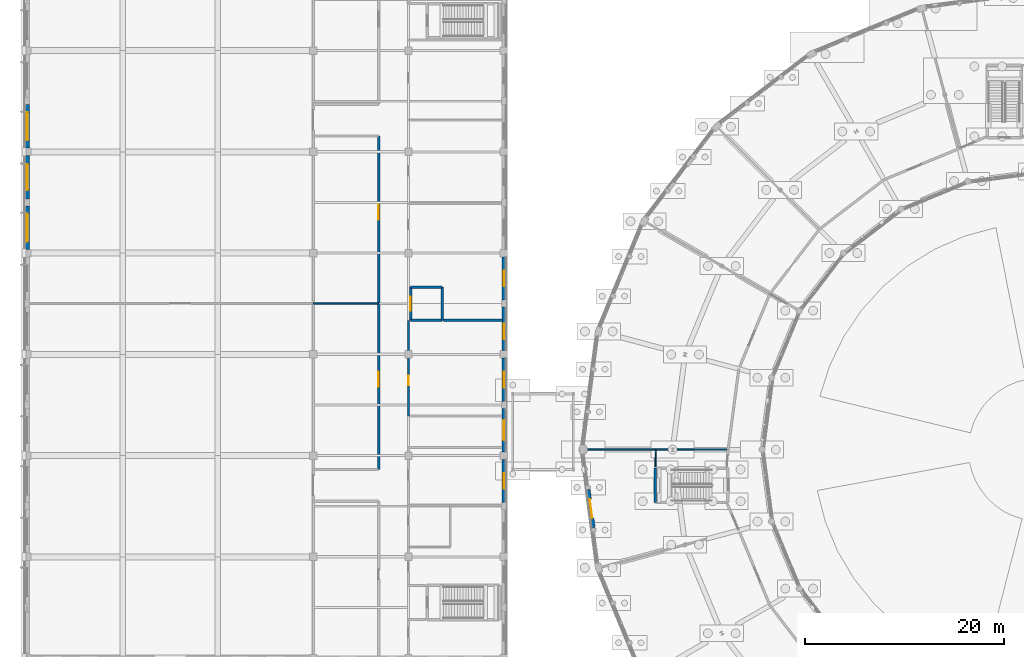
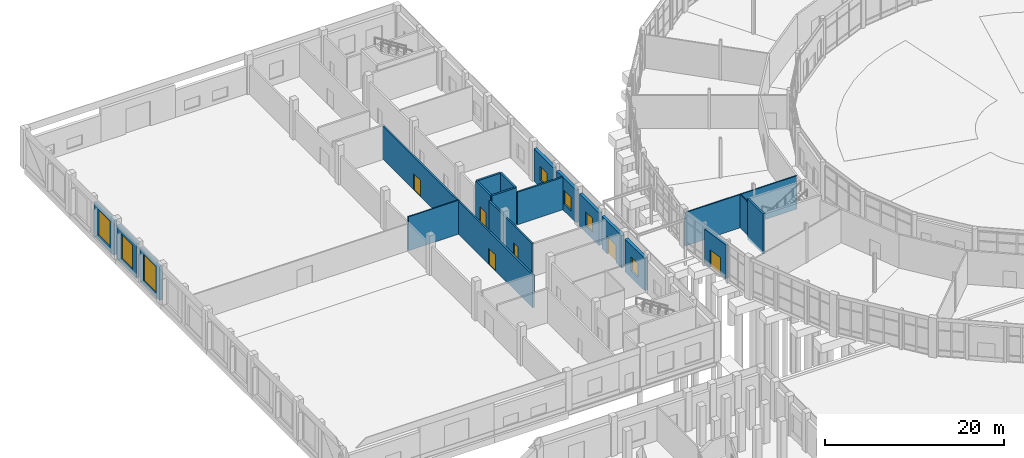
# One storey, part 106 of 137: 20 walls, 7 windows, 6 doors, 13 openings.
"""IFC4 building model written with IfcOpenShell, lengths in metres."""

from ifc_helpers import new_model, si_unit, direction, frame, frame_2d, origin, place, context, subcontext, project, spatial, rectangle, extrude, material, layer, layer_set, type_object, element, fill, save


model = new_model("IFC4")

# Units and contexts
model_context = context("Model", 3, precision=1e-05, world=origin(), true_north=direction((0.0, 1.0)))
body_context = subcontext(model_context, "Body", "Model", "MODEL_VIEW")
ifc_project = project(units=[si_unit("LENGTHUNIT", "METRE"), si_unit("AREAUNIT", "SQUARE_METRE"), si_unit("VOLUMEUNIT", "CUBIC_METRE"), si_unit("PLANEANGLEUNIT", "RADIAN"), si_unit("MASSUNIT", "GRAM", prefix="KILO")], contexts=[model_context])

# Site, building, storey
site_placement = place(None, origin())
site = spatial("IfcSite", under=ifc_project, at=site_placement, CompositionType="ELEMENT")
building_placement = place(site_placement, origin())
building = spatial("IfcBuilding", under=site, at=building_placement, Name="Vondelvale Polytechnic", CompositionType="ELEMENT")
storey_placement = place(building_placement, origin())
storey = spatial("IfcBuildingStorey", under=building, at=storey_placement, Name="L00", CompositionType="ELEMENT", Elevation=0.0)

# Wall, opening, door
ifc_material_1 = material(Name="Amsterdam School iron-spot clinker clay brickwork", Category="masonry")
ifc_layer_1 = layer(ifc_material_1, 0.35009765625)
ifc_layer_set_1 = layer_set([ifc_layer_1], Name="WL-BRICK-350")
wall_type_1 = type_object("IfcWallType", Name="WL-BRICK-350", PredefinedType="SOLIDWALL", material=ifc_layer_set_1)
wall_1_placement = place(storey_placement, frame((57.036376953125, 64.128173828125, 0.0), z_axis=(0.0, 0.0, 1.0), x_axis=(-0.130552399509, 0.991441410766, 0.0)))
wall_1 = element("IfcWall", 1, at=wall_1_placement, inside=storey, type_object=wall_type_1, Name="L00 exterior masonry facade wall", PredefinedType="SOLIDWALL", context=body_context, shape_type="SweptSolid", body=[
    extrude(rectangle(XDim=3.87109375, YDim=0.35009765625, at=frame_2d((1.935546875, 0.0))), origin(), (0.0, 0.0, 1.0), 4.64306640625),
])
opening_1_placement = place(wall_1_placement, frame((0.985595703125, 0.0, 0.0)))
opening_1 = element("IfcOpeningElement", 2, at=opening_1_placement, cuts=wall_1, Name="Opening ED-031", PredefinedType="OPENING", context=body_context, shape_type="SweptSolid", body=[
    extrude(rectangle(XDim=1.89990234375, YDim=2.35009765625, at=frame_2d((0.949951171875, 1.175048828125))), frame((0.0, 0.18505859375, 0.0), z_axis=(0.0, -1.0, 0.0), x_axis=(1.0, 0.0, 0.0)), (0.0, 0.0, 1.0), 0.3701171875),
])
ifc_material_2 = material(Name="Anodised extruded aluminium 6063-T6", Category="aluminium")
door_type_1 = type_object("IfcDoorType", Name="DR-EXT-1900x2350", OperationType="DOUBLE_DOOR_SINGLE_SWING", PredefinedType="DOOR", material=ifc_material_2)
door_1_placement = place(opening_1_placement, origin())
door_1 = element("IfcDoor", 3, at=door_1_placement, inside=storey, type_object=door_type_1, Name="L00 exterior entrance/exit door ED-031", OperationType="DOUBLE_DOOR_SINGLE_SWING", OverallHeight=2.35009765625, OverallWidth=1.89990234375, PredefinedType="DOOR", context=body_context, shape_type="SweptSolid", body=[
    extrude(rectangle(XDim=1.89990234375, YDim=2.35009765625, at=frame_2d((0.949951171875, 1.175048828125))), frame((0.0, 0.02490234375, 0.0), z_axis=(0.0, -1.0, 0.0), x_axis=(1.0, 0.0, 0.0)), (0.0, 0.0, 1.0), 0.050048828125),
])
fill(opening_1, door_1)

# Wall
ifc_material_3 = material(Name="Concrete N40 (f'c = 40 MPa)", Category="concrete")
ifc_layer_2 = layer(ifc_material_3, 0.25)
ifc_layer_set_2 = layer_set([ifc_layer_2], Name="WL-CORE-250")
wall_type_2 = type_object("IfcWallType", Name="WL-CORE-250", PredefinedType="SOLIDWALL", material=ifc_layer_set_2)
wall_2_placement = place(storey_placement, frame((63.27490234375, 70.125, -0.39990234375), z_axis=(0.0, 0.0, 1.0), x_axis=(0.0, -1.0, 0.0)))
element("IfcWall", 4, at=wall_2_placement, inside=storey, type_object=wall_type_2, Name="L00 ST-10 reinforced concrete stair core wall", PredefinedType="SOLIDWALL", context=body_context, shape_type="SweptSolid", body=[
    extrude(rectangle(XDim=3.449951171875, YDim=0.25, at=frame_2d((1.72509765625, 0.0))), origin(), (0.0, 0.0, 1.0), 5.52001953125),
])

# Wall, openings, doors
ifc_material_4 = material(Name="Fire-rated double-layer plasterboard stud partition")
ifc_layer_3 = layer(ifc_material_4, 0.219970703125)
ifc_layer_set_3 = layer_set([ifc_layer_3], Name="WL-CORR-220")
wall_type_3 = type_object("IfcWallType", Name="WL-CORR-220", PredefinedType="PARTITIONING", material=ifc_layer_set_3)
wall_3_placement = place(storey_placement, frame((35.39990234375, 70.0, 0.0), z_axis=(0.0, 0.0, 1.0), x_axis=(0.0, 1.0, 0.0)))
wall_3 = element("IfcWall", 5, at=wall_3_placement, inside=storey, type_object=wall_type_3, Name="L00 interior acoustic partition", PredefinedType="PARTITIONING", context=body_context, shape_type="SweptSolid", body=[
    extrude(rectangle(XDim=33.60009765625, YDim=0.219970703125, at=frame_2d((16.800048828125, 0.0))), origin(), (0.0, 0.0, 1.0), 4.492919921875),
])
opening_2_placement = place(wall_3_placement, frame((8.35009765625, 0.0, 0.0)))
opening_2 = element("IfcOpeningElement", 6, at=opening_2_placement, cuts=wall_3, Name="Opening ID-0092", PredefinedType="OPENING", context=body_context, shape_type="SweptSolid", body=[
    extrude(rectangle(XDim=1.5, YDim=2.199951171875, at=frame_2d((0.75, 1.10009765625))), frame((0.0, 0.119873046875, 0.0), z_axis=(0.0, -1.0, 0.0), x_axis=(1.0, 0.0, 0.0)), (0.0, 0.0, 1.0), 0.239990234375),
])
opening_3_placement = place(wall_3_placement, frame((25.14990234375, 0.0, 0.0)))
opening_3 = element("IfcOpeningElement", 7, at=opening_3_placement, cuts=wall_3, Name="Opening ID-0093", PredefinedType="OPENING", context=body_context, shape_type="SweptSolid", body=[
    extrude(rectangle(XDim=1.5, YDim=2.199951171875, at=frame_2d((0.75, 1.10009765625))), frame((0.0, 0.119873046875, 0.0), z_axis=(0.0, -1.0, 0.0), x_axis=(1.0, 0.0, 0.0)), (0.0, 0.0, 1.0), 0.239990234375),
])
ifc_material_5 = material(Name="Fire-rated solid Tasmanian oak joinery")
door_type_2 = type_object("IfcDoorType", Name="DR-LAB-1500x2200", OperationType="DOUBLE_DOOR_SINGLE_SWING", PredefinedType="DOOR", material=ifc_material_5)
door_2_placement = place(opening_2_placement, origin())
door_2 = element("IfcDoor", 8, at=door_2_placement, inside=storey, type_object=door_type_2, Name="L00 interior room door ID-0092", OperationType="DOUBLE_DOOR_SINGLE_SWING", OverallHeight=2.199951171875, OverallWidth=1.5, PredefinedType="DOOR", context=body_context, shape_type="SweptSolid", body=[
    extrude(rectangle(XDim=1.5, YDim=2.199951171875, at=frame_2d((0.75, 1.10009765625))), frame((0.0, 0.02490234375, 0.0), z_axis=(0.0, -1.0, 0.0), x_axis=(1.0, 0.0, 0.0)), (0.0, 0.0, 1.0), 0.050048828125),
])
fill(opening_2, door_2)
door_3_placement = place(opening_3_placement, origin())
door_3 = element("IfcDoor", 9, at=door_3_placement, inside=storey, type_object=door_type_2, Name="L00 interior room door ID-0093", OperationType="DOUBLE_DOOR_SINGLE_SWING", OverallHeight=2.199951171875, OverallWidth=1.5, PredefinedType="DOOR", context=body_context, shape_type="SweptSolid", body=[
    extrude(rectangle(XDim=1.5, YDim=2.199951171875, at=frame_2d((0.75, 1.10009765625))), frame((0.0, 0.02490234375, 0.0), z_axis=(0.0, -1.0, 0.0), x_axis=(1.0, 0.0, 0.0)), (0.0, 0.0, 1.0), 0.050048828125),
])
fill(opening_3, door_3)

# Wall, opening, door
wall_4_placement = place(storey_placement, frame((38.39990234375, 75.39990234375, 0.0), z_axis=(0.0, 0.0, 1.0), x_axis=(0.0, 1.0, 0.0)))
wall_4 = element("IfcWall", 10, at=wall_4_placement, inside=storey, type_object=wall_type_3, Name="L00 interior acoustic partition", PredefinedType="PARTITIONING", context=body_context, shape_type="SweptSolid", body=[
    extrude(rectangle(XDim=9.625, YDim=0.219970703125, at=frame_2d((4.8125, 0.0))), origin(), (0.0, 0.0, 1.0), 4.492919921875),
])
opening_4_placement = place(wall_4_placement, frame((3.10009765625, 0.0, 0.0)))
opening_4 = element("IfcOpeningElement", 11, at=opening_4_placement, cuts=wall_4, Name="Opening ID-0099", PredefinedType="OPENING", context=body_context, shape_type="SweptSolid", body=[
    extrude(rectangle(XDim=0.949951171875, YDim=2.10009765625, at=frame_2d((0.47509765625, 1.050048828125))), frame((0.0, 0.119873046875, 0.0), z_axis=(0.0, -1.0, 0.0), x_axis=(1.0, 0.0, 0.0)), (0.0, 0.0, 1.0), 0.239990234375),
])
door_type_3 = type_object("IfcDoorType", Name="DR-INT-0950x2100", OperationType="SINGLE_SWING_LEFT", PredefinedType="DOOR", material=ifc_material_5)
door_4_placement = place(opening_4_placement, origin())
door_4 = element("IfcDoor", 12, at=door_4_placement, inside=storey, type_object=door_type_3, Name="L00 interior room door ID-0099", OperationType="SINGLE_SWING_LEFT", OverallHeight=2.10009765625, OverallWidth=0.949951171875, PredefinedType="DOOR", context=body_context, shape_type="SweptSolid", body=[
    extrude(rectangle(XDim=0.949951171875, YDim=2.10009765625, at=frame_2d((0.47509765625, 1.050048828125))), frame((0.0, 0.02490234375, 0.0), z_axis=(0.0, -1.0, 0.0), x_axis=(1.0, 0.0, 0.0)), (0.0, 0.0, 1.0), 0.050048828125),
])
fill(opening_4, door_4)

# Walls
wall_5_placement = place(storey_placement, frame((41.93994140625, 85.02490234375, 0.0), z_axis=(0.0, 0.0, 1.0), x_axis=(1.0, 0.0, 0.0)))
element("IfcWall", 13, at=wall_5_placement, inside=storey, type_object=wall_type_3, Name="L00 interior acoustic partition", PredefinedType="PARTITIONING", context=body_context, shape_type="SweptSolid", body=[
    extrude(rectangle(XDim=5.91015625, YDim=0.219970703125, at=frame_2d((2.955078125, 0.0))), origin(), (0.0, 0.0, 1.0), 4.449951171875),
])
ifc_layer_4 = layer(ifc_material_4, 0.1201171875)
ifc_layer_set_4 = layer_set([ifc_layer_4], Name="WL-INT-120")
wall_type_4 = type_object("IfcWallType", Name="WL-INT-120", PredefinedType="PARTITIONING", material=ifc_layer_set_4)
wall_6_placement = place(storey_placement, frame((63.277099609375, 70.2900390625, 0.0), z_axis=(0.0, 0.0, 1.0), x_axis=(0.013419693814, 0.999909951855, 0.0)))
element("IfcWall", 14, at=wall_6_placement, inside=storey, type_object=wall_type_4, Name="L00 interior acoustic partition", PredefinedType="PARTITIONING", context=body_context, shape_type="SweptSolid", body=[
    extrude(rectangle(XDim=1.710205078125, YDim=0.1201171875, at=frame_2d((0.85498046875, 0.0))), origin(), (0.0, 0.0, 1.0), 4.56689453125),
])
ifc_layer_5 = layer(ifc_material_4, 0.14990234375)
ifc_layer_set_5 = layer_set([ifc_layer_5], Name="WL-INT-150")
wall_type_5 = type_object("IfcWallType", Name="WL-INT-150", PredefinedType="PARTITIONING", material=ifc_layer_set_5)
wall_7_placement = place(storey_placement, frame((28.800048828125, 86.699951171875, 0.0), z_axis=(0.0, 0.0, 1.0), x_axis=(1.0, 0.0, 0.0)))
element("IfcWall", 15, at=wall_7_placement, inside=storey, type_object=wall_type_5, Name="L00 interior acoustic partition", PredefinedType="PARTITIONING", context=body_context, shape_type="SweptSolid", body=[
    extrude(rectangle(XDim=6.599853515625, YDim=0.14990234375, at=frame_2d((3.2998046875, 0.0))), origin(), (0.0, 0.0, 1.0), 4.64306640625),
])
wall_8_placement = place(storey_placement, frame((70.60009765625, 72.0, 0.0), z_axis=(0.0, 0.0, 1.0), x_axis=(-1.0, 0.0, 0.0)))
element("IfcWall", 16, at=wall_8_placement, inside=storey, type_object=wall_type_5, Name="L00 interior acoustic partition", PredefinedType="PARTITIONING", context=body_context, shape_type="SweptSolid", body=[
    extrude(rectangle(XDim=14.47998046875, YDim=0.14990234375, at=frame_2d((7.239990234375, 0.0))), origin(), (0.0, 0.0, 1.0), 4.56689453125),
])

# Wall, opening, window
ifc_material_6 = material(Name="Malmsbury bluestone ashlar stone masonry", Category="masonry")
ifc_layer_6 = layer(ifc_material_6, 0.39990234375)
ifc_layer_set_6 = layer_set([ifc_layer_6], Name="WL-PLINTH-400")
wall_type_6 = type_object("IfcWallType", Name="WL-PLINTH-400", PredefinedType="SOLIDWALL", material=ifc_layer_set_6)
wall_9_placement = place(storey_placement, frame((0.0, 92.176025390625, 0.0), z_axis=(0.0, 0.0, 1.0), x_axis=(0.0, 1.0, 0.0)))
wall_9 = element("IfcWall", 17, at=wall_9_placement, inside=storey, type_object=wall_type_6, Name="L00 exterior masonry facade wall", PredefinedType="SOLIDWALL", context=body_context, shape_type="SweptSolid", body=[
    extrude(rectangle(XDim=4.373046875, YDim=0.39990234375, at=frame_2d((2.1865234375, 0.0))), origin(), (0.0, 0.0, 1.0), 4.64990234375),
])
opening_5_placement = place(wall_9_placement, frame((0.78662109375, 0.0, 0.550048828125)))
opening_5 = element("IfcOpeningElement", 18, at=opening_5_placement, cuts=wall_9, Name="Opening WN-0007", PredefinedType="OPENING", context=body_context, shape_type="SweptSolid", body=[
    extrude(rectangle(XDim=2.800048828125, YDim=3.60009765625, at=frame_2d((1.39990234375, 1.800048828125))), frame((0.0, 0.2099609375, 0.0), z_axis=(0.0, -1.0, 0.0), x_axis=(1.0, 0.0, 0.0)), (0.0, 0.0, 1.0), 0.419921875),
])
ifc_material_7 = material(Name="Double-glazed low-E insulated architectural glass", Category="glass")
window_type_1 = type_object("IfcWindowType", Name="WN-WORK-2800x3600", PartitioningType="SINGLE_PANEL", PredefinedType="WINDOW", material=ifc_material_7)
window_1_placement = place(opening_5_placement, origin())
window_1 = element("IfcWindow", 19, at=window_1_placement, inside=storey, type_object=window_type_1, Name="L00 double-glazed architectural window WN-0007", OverallHeight=3.60009765625, OverallWidth=2.800048828125, PartitioningType="SINGLE_PANEL", PredefinedType="WINDOW", context=body_context, shape_type="SweptSolid", body=[
    extrude(rectangle(XDim=2.800048828125, YDim=3.60009765625, at=frame_2d((1.39990234375, 1.800048828125))), frame((0.0, 0.030029296875, 0.0), z_axis=(0.0, -1.0, 0.0), x_axis=(1.0, 0.0, 0.0)), (0.0, 0.0, 1.0), 0.06005859375),
])
fill(opening_5, window_1)

wall_10_placement = place(storey_placement, frame((0.0, 97.2509765625, 0.0), z_axis=(0.0, 0.0, 1.0), x_axis=(0.0, 1.0, 0.0)))
wall_10 = element("IfcWall", 20, at=wall_10_placement, inside=storey, type_object=wall_type_6, Name="L00 exterior masonry facade wall", PredefinedType="SOLIDWALL", context=body_context, shape_type="SweptSolid", body=[
    extrude(rectangle(XDim=4.373046875, YDim=0.39990234375, at=frame_2d((2.1865234375, 0.0))), origin(), (0.0, 0.0, 1.0), 4.64990234375),
])
opening_6_placement = place(wall_10_placement, frame((0.886474609375, 0.0, 0.550048828125)))
opening_6 = element("IfcOpeningElement", 21, at=opening_6_placement, cuts=wall_10, Name="Opening WN-0008", PredefinedType="OPENING", context=body_context, shape_type="SweptSolid", body=[
    extrude(rectangle(XDim=2.60009765625, YDim=3.39990234375, at=frame_2d((1.300048828125, 1.699951171875))), frame((0.0, 0.2099609375, 0.0), z_axis=(0.0, -1.0, 0.0), x_axis=(1.0, 0.0, 0.0)), (0.0, 0.0, 1.0), 0.419921875),
])
window_type_2 = type_object("IfcWindowType", Name="WN-WORK-2600x3400", PartitioningType="SINGLE_PANEL", PredefinedType="WINDOW", material=ifc_material_7)
window_2_placement = place(opening_6_placement, origin())
window_2 = element("IfcWindow", 22, at=window_2_placement, inside=storey, type_object=window_type_2, Name="L00 double-glazed architectural window WN-0008", OverallHeight=3.39990234375, OverallWidth=2.60009765625, PartitioningType="SINGLE_PANEL", PredefinedType="WINDOW", context=body_context, shape_type="SweptSolid", body=[
    extrude(rectangle(XDim=2.60009765625, YDim=3.39990234375, at=frame_2d((1.300048828125, 1.699951171875))), frame((0.0, 0.030029296875, 0.0), z_axis=(0.0, -1.0, 0.0), x_axis=(1.0, 0.0, 0.0)), (0.0, 0.0, 1.0), 0.06005859375),
])
fill(opening_6, window_2)

wall_11_placement = place(storey_placement, frame((0.0, 102.3759765625, 0.0), z_axis=(0.0, 0.0, 1.0), x_axis=(0.0, 1.0, 0.0)))
wall_11 = element("IfcWall", 23, at=wall_11_placement, inside=storey, type_object=wall_type_6, Name="L00 exterior masonry facade wall", PredefinedType="SOLIDWALL", context=body_context, shape_type="SweptSolid", body=[
    extrude(rectangle(XDim=4.373046875, YDim=0.39990234375, at=frame_2d((2.1865234375, 0.0))), origin(), (0.0, 0.0, 1.0), 4.64990234375),
])
opening_7_placement = place(wall_11_placement, frame((0.78662109375, 0.0, 0.550048828125)))
opening_7 = element("IfcOpeningElement", 24, at=opening_7_placement, cuts=wall_11, Name="Opening WN-0009", PredefinedType="OPENING", context=body_context, shape_type="SweptSolid", body=[
    extrude(rectangle(XDim=2.800048828125, YDim=3.60009765625, at=frame_2d((1.39990234375, 1.800048828125))), frame((0.0, 0.2099609375, 0.0), z_axis=(0.0, -1.0, 0.0), x_axis=(1.0, 0.0, 0.0)), (0.0, 0.0, 1.0), 0.419921875),
])
window_3_placement = place(opening_7_placement, origin())
window_3 = element("IfcWindow", 25, at=window_3_placement, inside=storey, type_object=window_type_1, Name="L00 double-glazed architectural window WN-0009", OverallHeight=3.60009765625, OverallWidth=2.800048828125, PartitioningType="SINGLE_PANEL", PredefinedType="WINDOW", context=body_context, shape_type="SweptSolid", body=[
    extrude(rectangle(XDim=2.800048828125, YDim=3.60009765625, at=frame_2d((1.39990234375, 1.800048828125))), frame((0.0, 0.030029296875, 0.0), z_axis=(0.0, -1.0, 0.0), x_axis=(1.0, 0.0, 0.0)), (0.0, 0.0, 1.0), 0.06005859375),
])
fill(opening_7, window_3)

wall_12_placement = place(storey_placement, frame((48.0, 71.02392578125, 0.0), z_axis=(0.0, 0.0, 1.0), x_axis=(0.0, -1.0, 0.0)))
wall_12 = element("IfcWall", 26, at=wall_12_placement, inside=storey, type_object=wall_type_6, Name="L00 exterior masonry facade wall", PredefinedType="SOLIDWALL", context=body_context, shape_type="SweptSolid", body=[
    extrude(rectangle(XDim=4.373046875, YDim=0.39990234375, at=frame_2d((2.1865234375, 0.0))), origin(), (0.0, 0.0, 1.0), 4.449951171875),
])
opening_8_placement = place(wall_12_placement, frame((1.386474609375, 0.0, 0.949951171875)))
opening_8 = element("IfcOpeningElement", 27, at=opening_8_placement, cuts=wall_12, Name="Opening WN-0015", PredefinedType="OPENING", context=body_context, shape_type="SweptSolid", body=[
    extrude(rectangle(XDim=1.60009765625, YDim=1.89990234375, at=frame_2d((0.800048828125, 0.949951171875))), frame((0.0, 0.2099609375, 0.0), z_axis=(0.0, -1.0, 0.0), x_axis=(1.0, 0.0, 0.0)), (0.0, 0.0, 1.0), 0.419921875),
])
window_type_3 = type_object("IfcWindowType", Name="WN-SEM-1600x1900", PartitioningType="SINGLE_PANEL", PredefinedType="WINDOW", material=ifc_material_7)
window_4_placement = place(opening_8_placement, origin())
window_4 = element("IfcWindow", 28, at=window_4_placement, inside=storey, type_object=window_type_3, Name="L00 double-glazed architectural window WN-0015", OverallHeight=1.89990234375, OverallWidth=1.60009765625, PartitioningType="SINGLE_PANEL", PredefinedType="WINDOW", context=body_context, shape_type="SweptSolid", body=[
    extrude(rectangle(XDim=1.60009765625, YDim=1.89990234375, at=frame_2d((0.800048828125, 0.949951171875))), frame((0.0, 0.030029296875, 0.0), z_axis=(0.0, -1.0, 0.0), x_axis=(1.0, 0.0, 0.0)), (0.0, 0.0, 1.0), 0.06005859375),
])
fill(opening_8, window_4)

# Wall, opening, door
wall_13_placement = place(storey_placement, frame((48.0, 76.14892578125, 0.0), z_axis=(0.0, 0.0, 1.0), x_axis=(0.0, -1.0, 0.0)))
wall_13 = element("IfcWall", 29, at=wall_13_placement, inside=storey, type_object=wall_type_6, Name="L00 exterior masonry facade wall", PredefinedType="SOLIDWALL", context=body_context, shape_type="SweptSolid", body=[
    extrude(rectangle(XDim=4.373046875, YDim=0.39990234375, at=frame_2d((2.1865234375, 0.0))), origin(), (0.0, 0.0, 1.0), 4.449951171875),
])
opening_9_placement = place(wall_13_placement, frame((1.1865234375, 0.0, 0.0)))
opening_9 = element("IfcOpeningElement", 30, at=opening_9_placement, cuts=wall_13, Name="Opening ED-002", PredefinedType="OPENING", context=body_context, shape_type="SweptSolid", body=[
    extrude(rectangle(XDim=2.0, YDim=2.39990234375, at=frame_2d((1.0, 1.199951171875))), frame((0.0, 0.2099609375, 0.0), z_axis=(0.0, -1.0, 0.0), x_axis=(1.0, 0.0, 0.0)), (0.0, 0.0, 1.0), 0.419921875),
])
door_type_4 = type_object("IfcDoorType", Name="DR-EXT-2000x2400", OperationType="DOUBLE_DOOR_SINGLE_SWING", PredefinedType="DOOR", material=ifc_material_2)
door_5_placement = place(opening_9_placement, origin())
door_5 = element("IfcDoor", 31, at=door_5_placement, inside=storey, type_object=door_type_4, Name="L00 exterior entrance/exit door ED-002", OperationType="DOUBLE_DOOR_SINGLE_SWING", OverallHeight=2.39990234375, OverallWidth=2.0, PredefinedType="DOOR", context=body_context, shape_type="SweptSolid", body=[
    extrude(rectangle(XDim=2.0, YDim=2.39990234375, at=frame_2d((1.0, 1.199951171875))), frame((0.0, 0.02490234375, 0.0), z_axis=(0.0, -1.0, 0.0), x_axis=(1.0, 0.0, 0.0)), (0.0, 0.0, 1.0), 0.050048828125),
])
fill(opening_9, door_5)

# Wall, opening, window
wall_14_placement = place(storey_placement, frame((48.0, 81.22412109375, 0.0), z_axis=(0.0, 0.0, 1.0), x_axis=(0.0, -1.0, 0.0)))
wall_14 = element("IfcWall", 32, at=wall_14_placement, inside=storey, type_object=wall_type_6, Name="L00 exterior masonry facade wall", PredefinedType="SOLIDWALL", context=body_context, shape_type="SweptSolid", body=[
    extrude(rectangle(XDim=4.373046875, YDim=0.39990234375, at=frame_2d((2.1865234375, 0.0))), origin(), (0.0, 0.0, 1.0), 4.449951171875),
])
opening_10_placement = place(wall_14_placement, frame((1.386474609375, 0.0, 0.949951171875)))
opening_10 = element("IfcOpeningElement", 33, at=opening_10_placement, cuts=wall_14, Name="Opening WN-0016", PredefinedType="OPENING", context=body_context, shape_type="SweptSolid", body=[
    extrude(rectangle(XDim=1.60009765625, YDim=1.89990234375, at=frame_2d((0.800048828125, 0.949951171875))), frame((0.0, 0.2099609375, 0.0), z_axis=(0.0, -1.0, 0.0), x_axis=(1.0, 0.0, 0.0)), (0.0, 0.0, 1.0), 0.419921875),
])
window_5_placement = place(opening_10_placement, origin())
window_5 = element("IfcWindow", 34, at=window_5_placement, inside=storey, type_object=window_type_3, Name="L00 double-glazed architectural window WN-0016", OverallHeight=1.89990234375, OverallWidth=1.60009765625, PartitioningType="SINGLE_PANEL", PredefinedType="WINDOW", context=body_context, shape_type="SweptSolid", body=[
    extrude(rectangle(XDim=1.60009765625, YDim=1.89990234375, at=frame_2d((0.800048828125, 0.949951171875))), frame((0.0, 0.030029296875, 0.0), z_axis=(0.0, -1.0, 0.0), x_axis=(1.0, 0.0, 0.0)), (0.0, 0.0, 1.0), 0.06005859375),
])
fill(opening_10, window_5)

wall_15_placement = place(storey_placement, frame((48.0, 86.34912109375, 0.0), z_axis=(0.0, 0.0, 1.0), x_axis=(0.0, -1.0, 0.0)))
wall_15 = element("IfcWall", 35, at=wall_15_placement, inside=storey, type_object=wall_type_6, Name="L00 exterior masonry facade wall", PredefinedType="SOLIDWALL", context=body_context, shape_type="SweptSolid", body=[
    extrude(rectangle(XDim=4.373046875, YDim=0.39990234375, at=frame_2d((2.1865234375, 0.0))), origin(), (0.0, 0.0, 1.0), 4.449951171875),
])
opening_11_placement = place(wall_15_placement, frame((1.64404296875, 0.0, 0.949951171875)))
opening_11 = element("IfcOpeningElement", 36, at=opening_11_placement, cuts=wall_15, Name="Opening WN-0017", PredefinedType="OPENING", context=body_context, shape_type="SweptSolid", body=[
    extrude(rectangle(XDim=1.60009765625, YDim=1.89990234375, at=frame_2d((0.800048828125, 0.949951171875))), frame((0.0, 0.2099609375, 0.0), z_axis=(0.0, -1.0, 0.0), x_axis=(1.0, 0.0, 0.0)), (0.0, 0.0, 1.0), 0.419921875),
])
window_6_placement = place(opening_11_placement, origin())
window_6 = element("IfcWindow", 37, at=window_6_placement, inside=storey, type_object=window_type_3, Name="L00 double-glazed architectural window WN-0017", OverallHeight=1.89990234375, OverallWidth=1.60009765625, PartitioningType="SINGLE_PANEL", PredefinedType="WINDOW", context=body_context, shape_type="SweptSolid", body=[
    extrude(rectangle(XDim=1.60009765625, YDim=1.89990234375, at=frame_2d((0.800048828125, 0.949951171875))), frame((0.0, 0.030029296875, 0.0), z_axis=(0.0, -1.0, 0.0), x_axis=(1.0, 0.0, 0.0)), (0.0, 0.0, 1.0), 0.06005859375),
])
fill(opening_11, window_6)

wall_16_placement = place(storey_placement, frame((48.0, 91.424072265625, 0.0), z_axis=(0.0, 0.0, 1.0), x_axis=(0.0, -1.0, 0.0)))
wall_16 = element("IfcWall", 38, at=wall_16_placement, inside=storey, type_object=wall_type_6, Name="L00 exterior masonry facade wall", PredefinedType="SOLIDWALL", context=body_context, shape_type="SweptSolid", body=[
    extrude(rectangle(XDim=4.373046875, YDim=0.39990234375, at=frame_2d((2.1865234375, 0.0))), origin(), (0.0, 0.0, 1.0), 4.449951171875),
])
opening_12_placement = place(wall_16_placement, frame((1.386474609375, 0.0, 0.949951171875)))
opening_12 = element("IfcOpeningElement", 39, at=opening_12_placement, cuts=wall_16, Name="Opening WN-0018", PredefinedType="OPENING", context=body_context, shape_type="SweptSolid", body=[
    extrude(rectangle(XDim=1.60009765625, YDim=1.89990234375, at=frame_2d((0.800048828125, 0.949951171875))), frame((0.0, 0.2099609375, 0.0), z_axis=(0.0, -1.0, 0.0), x_axis=(1.0, 0.0, 0.0)), (0.0, 0.0, 1.0), 0.419921875),
])
window_7_placement = place(opening_12_placement, origin())
window_7 = element("IfcWindow", 40, at=window_7_placement, inside=storey, type_object=window_type_3, Name="L00 double-glazed architectural window WN-0018", OverallHeight=1.89990234375, OverallWidth=1.60009765625, PartitioningType="SINGLE_PANEL", PredefinedType="WINDOW", context=body_context, shape_type="SweptSolid", body=[
    extrude(rectangle(XDim=1.60009765625, YDim=1.89990234375, at=frame_2d((0.800048828125, 0.949951171875))), frame((0.0, 0.030029296875, 0.0), z_axis=(0.0, -1.0, 0.0), x_axis=(1.0, 0.0, 0.0)), (0.0, 0.0, 1.0), 0.06005859375),
])
fill(opening_12, window_7)

# Walls
ifc_layer_7 = layer(ifc_material_3, 0.25)
ifc_layer_set_7 = layer_set([ifc_layer_7], Name="WL-SHAFT-250")
wall_type_7 = type_object("IfcWallType", Name="WL-SHAFT-250", PredefinedType="SOLIDWALL", material=ifc_layer_set_7)
wall_17_placement = place(storey_placement, frame((38.625, 85.02490234375, 0.0), z_axis=(0.0, 0.0, 1.0), x_axis=(1.0, 0.0, 0.0)))
element("IfcWall", 41, at=wall_17_placement, inside=storey, type_object=wall_type_7, Name="L00 GL-01 lift shaft wall S", PredefinedType="SOLIDWALL", context=body_context, shape_type="SweptSolid", body=[
    extrude(rectangle(XDim=3.14990234375, YDim=0.25, at=frame_2d((1.574951171875, 0.0))), origin(), (0.0, 0.0, 1.0), 5.1201171875),
])
wall_18_placement = place(storey_placement, frame((41.77490234375, 85.02490234375, 0.0), z_axis=(0.0, 0.0, 1.0), x_axis=(0.0, 1.0, 0.0)))
element("IfcWall", 42, at=wall_18_placement, inside=storey, type_object=wall_type_7, Name="L00 GL-01 lift shaft wall E", PredefinedType="SOLIDWALL", context=body_context, shape_type="SweptSolid", body=[
    extrude(rectangle(XDim=3.35009765625, YDim=0.25, at=frame_2d((1.675048828125, 0.0))), origin(), (0.0, 0.0, 1.0), 5.1201171875),
])
wall_19_placement = place(storey_placement, frame((41.77490234375, 88.375, 0.0), z_axis=(0.0, 0.0, 1.0), x_axis=(-1.0, 0.0, 0.0)))
element("IfcWall", 43, at=wall_19_placement, inside=storey, type_object=wall_type_7, Name="L00 GL-01 lift shaft wall N", PredefinedType="SOLIDWALL", context=body_context, shape_type="SweptSolid", body=[
    extrude(rectangle(XDim=3.14990234375, YDim=0.25, at=frame_2d((1.574951171875, 0.0))), origin(), (0.0, 0.0, 1.0), 5.1201171875),
])

# Wall, opening, door
wall_20_placement = place(storey_placement, frame((38.625, 88.375, 0.0), z_axis=(0.0, 0.0, 1.0), x_axis=(0.0, -1.0, 0.0)))
wall_20 = element("IfcWall", 44, at=wall_20_placement, inside=storey, type_object=wall_type_7, Name="L00 GL-01 lift shaft wall W", PredefinedType="SOLIDWALL", context=body_context, shape_type="SweptSolid", body=[
    extrude(rectangle(XDim=3.35009765625, YDim=0.25, at=frame_2d((1.675048828125, 0.0))), origin(), (0.0, 0.0, 1.0), 5.1201171875),
])
opening_13_placement = place(wall_20_placement, frame((0.97509765625, 0.0, 0.0)))
opening_13 = element("IfcOpeningElement", 45, at=opening_13_placement, cuts=wall_20, Name="Opening LD-046", PredefinedType="OPENING", context=body_context, shape_type="SweptSolid", body=[
    extrude(rectangle(XDim=1.39990234375, YDim=2.199951171875, at=frame_2d((0.699951171875, 1.10009765625))), frame((0.0, 0.135009765625, 0.0), z_axis=(0.0, -1.0, 0.0), x_axis=(1.0, 0.0, 0.0)), (0.0, 0.0, 1.0), 0.27001953125),
])
ifc_material_8 = material(Name="Brushed architectural stainless and zinc-coated metal")
door_type_5 = type_object("IfcDoorType", Name="DR-LIFT-1400x2200", OperationType="DOUBLE_DOOR_SLIDING", PredefinedType="DOOR", material=ifc_material_8)
door_6_placement = place(opening_13_placement, origin())
door_6 = element("IfcDoor", 46, at=door_6_placement, inside=storey, type_object=door_type_5, Name="L00 GL-01 sliding lift landing door", OperationType="DOUBLE_DOOR_SLIDING", OverallHeight=2.199951171875, OverallWidth=1.39990234375, PredefinedType="DOOR", context=body_context, shape_type="SweptSolid", body=[
    extrude(rectangle(XDim=1.39990234375, YDim=2.199951171875, at=frame_2d((0.699951171875, 1.10009765625))), frame((0.0, 0.02490234375, 0.0), z_axis=(0.0, -1.0, 0.0), x_axis=(1.0, 0.0, 0.0)), (0.0, 0.0, 1.0), 0.050048828125),
])
fill(opening_13, door_6)

save(model, "model.ifc")
